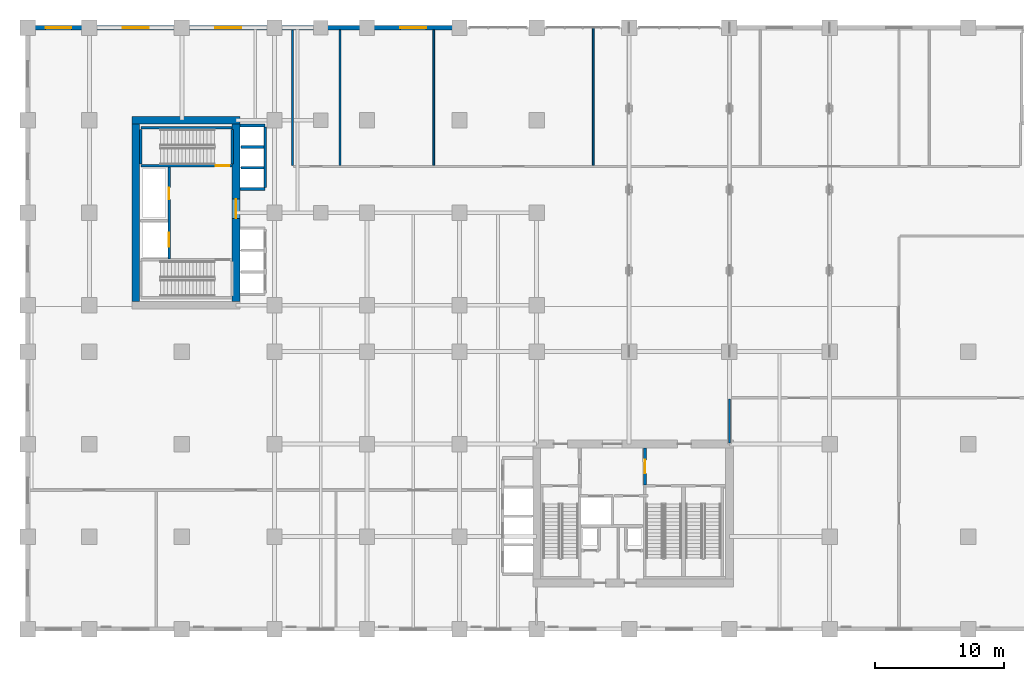
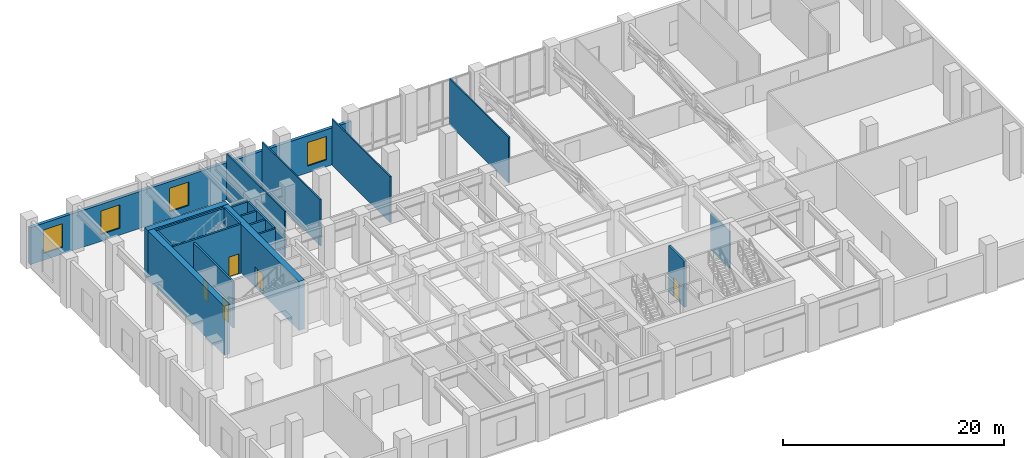
# One storey, part 12 of 19: 20 walls, 5 doors, 4 windows, 9 openings.
"""IFC4 building model written with IfcOpenShell, lengths in metres."""

from ifc_helpers import new_model, si_unit, derived_unit, direction, frame, frame_2d, origin, place, context, subcontext, project, spatial, rectangle, extrude, source, transform, mapped, material, layer, layer_set, type_object, type_shapes, element, fill, save


model = new_model("IFC4")

# Units and contexts
model_context = context("Model", 3, precision=1e-05, world=origin(), true_north=direction((0.0, 1.0)))
body_context = subcontext(model_context, "Body", "Model", "MODEL_VIEW")
ifc_project = project(units=[si_unit("LENGTHUNIT", "METRE"), si_unit("AREAUNIT", "SQUARE_METRE"), si_unit("VOLUMEUNIT", "CUBIC_METRE"), si_unit("PLANEANGLEUNIT", "RADIAN"), si_unit("MASSUNIT", "GRAM", prefix="KILO"), si_unit("THERMODYNAMICTEMPERATUREUNIT", "KELVIN"), si_unit("POWERUNIT", "WATT"), derived_unit("THERMALTRANSMITTANCEUNIT", [(si_unit("POWERUNIT", "WATT"), 1), (si_unit("AREAUNIT", "SQUARE_METRE"), -1), (si_unit("THERMODYNAMICTEMPERATUREUNIT", "KELVIN"), -1)])], contexts=[model_context])

# Site, building, storey
site_placement = place(None, origin())
site = spatial("IfcSite", under=ifc_project, at=site_placement, CompositionType="ELEMENT")
building_placement = place(site_placement, origin())
building = spatial("IfcBuilding", under=site, at=building_placement, Name="Zahravan Archway Hotel and Residences", CompositionType="ELEMENT")
storey_placement = place(building_placement, frame((0.0, 0.0, 21.60009765625)))
storey = spatial("IfcBuildingStorey", under=building, at=storey_placement, Name="L04", CompositionType="ELEMENT", Elevation=21.60009765625)

# Walls
ifc_material_1 = material(Name="Concrete C70/85", Category="concrete")
ifc_layer_1 = layer(ifc_material_1, 0.60009765625, Name="Concrete C70/85", Category="concrete")
ifc_layer_set_1 = layer_set([ifc_layer_1], Name="Concrete C70/85")
wall_type_1 = type_object("IfcWallType", Name="CW-CORE-600", PredefinedType="SHEAR", material=ifc_layer_set_1)
wall_1_placement = place(storey_placement, frame((3.300048828125, 39.60009765625, 0.0), z_axis=(0.0, 0.0, 1.0), x_axis=(1.0, 0.0, 0.0)))
element("IfcWall", 1, at=wall_1_placement, inside=storey, type_object=wall_type_1, Name="L04 Core B Shear N Wall 600 mm", PredefinedType="SHEAR", context=body_context, shape_type="SweptSolid", body=[
    extrude(rectangle(XDim=8.39990234375, YDim=0.60009765625, at=frame_2d((4.199951171875, 0.0))), origin(), (0.0, 0.0, 1.0), 5.39990234375),
])
wall_2_placement = place(storey_placement, frame((3.60009765625, 25.5, 0.0), z_axis=(0.0, 0.0, 1.0), x_axis=(0.0, 1.0, 0.0)))
element("IfcWall", 2, at=wall_2_placement, inside=storey, type_object=wall_type_1, Name="L04 Core B Shear W Wall 600 mm", PredefinedType="SHEAR", context=body_context, shape_type="SweptSolid", body=[
    extrude(rectangle(XDim=13.800048828125, YDim=0.60009765625, at=frame_2d((6.89990234375, 0.0))), origin(), (0.0, 0.0, 1.0), 5.39990234375),
])

# Wall, opening, door
wall_3_placement = place(storey_placement, frame((11.39990234375, 25.5, 0.0), z_axis=(0.0, 0.0, 1.0), x_axis=(0.0, 1.0, 0.0)))
wall_3 = element("IfcWall", 3, at=wall_3_placement, inside=storey, type_object=wall_type_1, Name="L04 Core B Shear E Wall 600 mm", PredefinedType="SHEAR", context=body_context, shape_type="SweptSolid", body=[
    extrude(rectangle(XDim=13.800048828125, YDim=0.60009765625, at=frame_2d((6.89990234375, 0.0))), origin(), (0.0, 0.0, 1.0), 5.39990234375),
])
opening_1_placement = place(wall_3_placement, frame((6.469970703125, 0.0, 0.0)))
opening_1 = element("IfcOpeningElement", 4, at=opening_1_placement, cuts=wall_3, Name="Opening FD-L1", PredefinedType="OPENING", context=body_context, shape_type="SweptSolid", body=[
    extrude(rectangle(XDim=1.5, YDim=2.199951171875, at=frame_2d((0.75, 1.10009765625))), frame((0.0, 0.31005859375, 0.0), z_axis=(0.0, -1.0, 0.0), x_axis=(1.0, 0.0, 0.0)), (0.0, 0.0, 1.0), 0.6201171875),
])
ifc_material_2 = material(Name="Fire-Rated Painted Steel", Category="steel")
door_type_1 = type_object("IfcDoorType", Name="FD-LOBBY-1500", OperationType="DOUBLE_DOOR_SINGLE_SWING", PredefinedType="DOOR", material=ifc_material_2)
shared_shape_1 = source(origin(), body_context, "Body", "SweptSolid", [
    extrude(rectangle(XDim=1.5, YDim=2.199951171875, at=frame_2d((0.75, 1.10009765625))), frame((0.0, 0.02490234375, 0.0), z_axis=(0.0, -1.0, 0.0), x_axis=(1.0, 0.0, 0.0)), (0.0, 0.0, 1.0), 0.050048828125),
])
type_shapes(door_type_1, [shared_shape_1])
door_1_placement = place(opening_1_placement, origin())
door_1 = element("IfcDoor", 5, at=door_1_placement, inside=storey, type_object=door_type_1, Name="L04 Core B FSAE Lobby Door", OperationType="DOUBLE_DOOR_SINGLE_SWING", OverallHeight=2.199951171875, OverallWidth=1.5, PredefinedType="DOOR", context=body_context, shape_type="MappedRepresentation", body=[
    mapped(shared_shape_1, transform((0.0, 0.0, 0.0), scale=1.0)),
])
fill(opening_1, door_1)

# Wall, openings, windows
ifc_material_3 = material(Name="Agra Buff Sandstone & Insulated Backup", Category="masonry")
ifc_layer_2 = layer(ifc_material_3, 0.320068359375, Name="Agra Buff Sandstone & Insulated Backup", Category="masonry")
ifc_layer_set_2 = layer_set([ifc_layer_2], Name="Agra Buff Sandstone & Insulated Backup")
wall_type_2 = type_object("IfcWallType", Name="EW-SAND-320", PredefinedType="SOLIDWALL", material=ifc_layer_set_2)
wall_4_placement = place(storey_placement, frame((-4.800048828125, 46.800048828125, 0.0), z_axis=(0.0, 0.0, 1.0), x_axis=(1.0, 0.0, 0.0)))
wall_4 = element("IfcWall", 6, at=wall_4_placement, inside=storey, type_object=wall_type_2, Name="L04 Podium Sandstone NW Wall", PredefinedType="SOLIDWALL", context=body_context, shape_type="SweptSolid", body=[
    extrude(rectangle(XDim=33.60009765625, YDim=0.320068359375, at=frame_2d((16.800048828125, 0.0))), origin(), (0.0, 0.0, 1.0), 4.0849609375),
])
opening_2_placement = place(wall_4_placement, frame((1.39990234375, 0.0, 0.75)))
opening_2 = element("IfcOpeningElement", 7, at=opening_2_placement, cuts=wall_4, Name="Opening W-01", PredefinedType="OPENING", context=body_context, shape_type="SweptSolid", body=[
    extrude(rectangle(XDim=2.0, YDim=2.60009765625, at=frame_2d((1.0, 1.300048828125))), frame((0.0, 0.169921875, 0.0), z_axis=(0.0, -1.0, 0.0), x_axis=(1.0, 0.0, 0.0)), (0.0, 0.0, 1.0), 0.340087890625),
])
opening_3_placement = place(wall_4_placement, frame((7.39990234375, 0.0, 0.75)))
opening_3 = element("IfcOpeningElement", 8, at=opening_3_placement, cuts=wall_4, Name="Opening W-01", PredefinedType="OPENING", context=body_context, shape_type="SweptSolid", body=[
    extrude(rectangle(XDim=2.0, YDim=2.60009765625, at=frame_2d((1.0, 1.300048828125))), frame((0.0, 0.169921875, 0.0), z_axis=(0.0, -1.0, 0.0), x_axis=(1.0, 0.0, 0.0)), (0.0, 0.0, 1.0), 0.340087890625),
])
opening_4_placement = place(wall_4_placement, frame((14.60009765625, 0.0, 0.75)))
opening_4 = element("IfcOpeningElement", 9, at=opening_4_placement, cuts=wall_4, Name="Opening W-01", PredefinedType="OPENING", context=body_context, shape_type="SweptSolid", body=[
    extrude(rectangle(XDim=2.0, YDim=2.60009765625, at=frame_2d((1.0, 1.300048828125))), frame((0.0, 0.169921875, 0.0), z_axis=(0.0, -1.0, 0.0), x_axis=(1.0, 0.0, 0.0)), (0.0, 0.0, 1.0), 0.340087890625),
])
opening_5_placement = place(wall_4_placement, frame((29.0, 0.0, 0.75)))
opening_5 = element("IfcOpeningElement", 10, at=opening_5_placement, cuts=wall_4, Name="Opening W-01", PredefinedType="OPENING", context=body_context, shape_type="SweptSolid", body=[
    extrude(rectangle(XDim=2.0, YDim=2.60009765625, at=frame_2d((1.0, 1.300048828125))), frame((0.0, 0.169921875, 0.0), z_axis=(0.0, -1.0, 0.0), x_axis=(1.0, 0.0, 0.0)), (0.0, 0.0, 1.0), 0.340087890625),
])
ifc_material_4 = material(Name="Bronze-Anodized Thermal-Break Aluminium & Low-E Glass", Category="aluminium")
window_type = type_object("IfcWindowType", Name="WIN-ARC-2000", PartitioningType="DOUBLE_PANEL_VERTICAL", PredefinedType="WINDOW", material=ifc_material_4)
shared_shape_2 = source(origin(), body_context, "Body", "SweptSolid", [
    extrude(rectangle(XDim=2.0, YDim=2.60009765625, at=frame_2d((1.0, 1.300048828125))), frame((0.0, 0.030029296875, 0.0), z_axis=(0.0, -1.0, 0.0), x_axis=(1.0, 0.0, 0.0)), (0.0, 0.0, 1.0), 0.06005859375),
])
type_shapes(window_type, [shared_shape_2])
window_1_placement = place(opening_2_placement, origin())
window_1 = element("IfcWindow", 11, at=window_1_placement, inside=storey, type_object=window_type, Name="L04 Podium Mughal Arch Window 13", OverallHeight=2.60009765625, OverallWidth=2.0, PartitioningType="DOUBLE_PANEL_VERTICAL", PredefinedType="WINDOW", context=body_context, shape_type="MappedRepresentation", body=[
    mapped(shared_shape_2, transform((0.0, 0.0, 0.0), scale=1.0)),
])
fill(opening_2, window_1)
window_2_placement = place(opening_3_placement, origin())
window_2 = element("IfcWindow", 12, at=window_2_placement, inside=storey, type_object=window_type, Name="L04 Podium Mughal Arch Window 14", OverallHeight=2.60009765625, OverallWidth=2.0, PartitioningType="DOUBLE_PANEL_VERTICAL", PredefinedType="WINDOW", context=body_context, shape_type="MappedRepresentation", body=[
    mapped(shared_shape_2, transform((0.0, 0.0, 0.0), scale=1.0)),
])
fill(opening_3, window_2)
window_3_placement = place(opening_4_placement, origin())
window_3 = element("IfcWindow", 13, at=window_3_placement, inside=storey, type_object=window_type, Name="L04 Podium Mughal Arch Window 15", OverallHeight=2.60009765625, OverallWidth=2.0, PartitioningType="DOUBLE_PANEL_VERTICAL", PredefinedType="WINDOW", context=body_context, shape_type="MappedRepresentation", body=[
    mapped(shared_shape_2, transform((0.0, 0.0, 0.0), scale=1.0)),
])
fill(opening_4, window_3)
window_4_placement = place(opening_5_placement, origin())
window_4 = element("IfcWindow", 14, at=window_4_placement, inside=storey, type_object=window_type, Name="L04 Podium Mughal Arch Window 16", OverallHeight=2.60009765625, OverallWidth=2.0, PartitioningType="DOUBLE_PANEL_VERTICAL", PredefinedType="WINDOW", context=body_context, shape_type="MappedRepresentation", body=[
    mapped(shared_shape_2, transform((0.0, 0.0, 0.0), scale=1.0)),
])
fill(opening_5, window_4)

# Wall, opening, door
ifc_material_5 = material(Name="Fire-Rated Gypsum & Concrete Block", Category="concrete")
ifc_layer_3 = layer(ifc_material_5, 0.219970703125, Name="Fire-Rated Gypsum & Concrete Block", Category="concrete")
ifc_layer_set_3 = layer_set([ifc_layer_3], Name="Fire-Rated Gypsum & Concrete Block")
wall_type_3 = type_object("IfcWallType", Name="PW-COMP-220", PredefinedType="PARTITIONING", material=ifc_layer_set_3)
wall_5_placement = place(storey_placement, frame((43.219970703125, 11.219970703125, 0.0), z_axis=(0.0, 0.0, 1.0), x_axis=(0.0, 1.0, 0.0)))
wall_5 = element("IfcWall", 15, at=wall_5_placement, inside=storey, type_object=wall_type_3, Name="L04 Partition CA-LOBE", PredefinedType="PARTITIONING", context=body_context, shape_type="SweptSolid", body=[
    extrude(rectangle(XDim=2.860107421875, YDim=0.219970703125, at=frame_2d((1.43017578125, 0.0))), origin(), (0.0, 0.0, 1.0), 5.099853515625),
])
opening_6_placement = place(wall_5_placement, frame((0.905029296875, 0.0, 0.0)))
opening_6 = element("IfcOpeningElement", 16, at=opening_6_placement, cuts=wall_5, Name="Opening FD-L2", PredefinedType="OPENING", context=body_context, shape_type="SweptSolid", body=[
    extrude(rectangle(XDim=1.050048828125, YDim=2.14990234375, at=frame_2d((0.52490234375, 1.074951171875))), frame((0.0, 0.1201171875, 0.0), z_axis=(0.0, -1.0, 0.0), x_axis=(1.0, 0.0, 0.0)), (0.0, 0.0, 1.0), 0.239990234375),
])
door_type_2 = type_object("IfcDoorType", Name="FD-LOBBY-1100", OperationType="NOTDEFINED", PredefinedType="DOOR", material=ifc_material_2)
shared_shape_3 = source(origin(), body_context, "Body", "SweptSolid", [
    extrude(rectangle(XDim=1.050048828125, YDim=2.14990234375, at=frame_2d((0.52490234375, 1.074951171875))), frame((0.0, 0.02490234375, 0.0), z_axis=(0.0, -1.0, 0.0), x_axis=(1.0, 0.0, 0.0)), (0.0, 0.0, 1.0), 0.050048828125),
])
type_shapes(door_type_2, [shared_shape_3])
door_2_placement = place(opening_6_placement, origin())
door_2 = element("IfcDoor", 17, at=door_2_placement, inside=storey, type_object=door_type_2, Name="L04 Core A East Stair to FSAE Lobby Door", OperationType="SINGLE_SWING_LEFT", OverallHeight=2.14990234375, OverallWidth=1.050048828125, PredefinedType="DOOR", context=body_context, shape_type="MappedRepresentation", body=[
    mapped(shared_shape_3, transform((0.0, 0.0, 0.0), scale=1.0)),
])
fill(opening_6, door_2)

# Wall
ifc_layer_4 = layer(ifc_material_5, 0.179931640625, Name="Fire-Rated Gypsum & Concrete Block", Category="concrete")
ifc_layer_set_4 = layer_set([ifc_layer_4], Name="Fire-Rated Gypsum & Concrete Block")
wall_type_4 = type_object("IfcWallType", Name="PW-CORR-180", PredefinedType="PARTITIONING", material=ifc_layer_set_4)
wall_6_placement = place(storey_placement, frame((49.800048828125, 14.489990234375, 0.0), z_axis=(0.0, 0.0, 1.0), x_axis=(0.0, 1.0, 0.0)))
element("IfcWall", 18, at=wall_6_placement, inside=storey, type_object=wall_type_4, Name="L04 Partition L04-GSW", PredefinedType="PARTITIONING", context=body_context, shape_type="SweptSolid", body=[
    extrude(rectangle(XDim=3.419921875, YDim=0.179931640625, at=frame_2d((1.7099609375, 0.0))), origin(), (0.0, 0.0, 1.0), 4.0849609375),
])

# Wall, openings, doors
ifc_layer_5 = layer(ifc_material_5, 0.199951171875, Name="Fire-Rated Gypsum & Concrete Block", Category="concrete")
ifc_layer_set_5 = layer_set([ifc_layer_5], Name="Fire-Rated Gypsum & Concrete Block")
wall_type_5 = type_object("IfcWallType", Name="PW-SHAFT-200", PredefinedType="PARTITIONING", material=ifc_layer_set_5)
wall_7_placement = place(storey_placement, frame((6.199951171875, 28.7900390625, 0.0), z_axis=(0.0, 0.0, 1.0), x_axis=(0.0, 1.0, 0.0)))
wall_7 = element("IfcWall", 19, at=wall_7_placement, inside=storey, type_object=wall_type_5, Name="L04 Partition CB-FL3E", PredefinedType="PARTITIONING", context=body_context, shape_type="SweptSolid", body=[
    extrude(rectangle(XDim=7.219970703125, YDim=0.199951171875, at=frame_2d((3.60986328125, 0.0))), origin(), (0.0, 0.0, 1.0), 5.099853515625),
])
opening_7_placement = place(wall_7_placement, frame((4.659912109375, 0.0, 0.0)))
opening_7 = element("IfcOpeningElement", 20, at=opening_7_placement, cuts=wall_7, Name="Opening FD-R1", PredefinedType="OPENING", context=body_context, shape_type="SweptSolid", body=[
    extrude(rectangle(XDim=0.89990234375, YDim=2.10009765625, at=frame_2d((0.449951171875, 1.050048828125))), frame((0.0, 0.10986328125, 0.0), z_axis=(0.0, -1.0, 0.0), x_axis=(1.0, 0.0, 0.0)), (0.0, 0.0, 1.0), 0.219970703125),
])
opening_8_placement = place(wall_7_placement, frame((0.9599609375, 0.0, 0.0)))
opening_8 = element("IfcOpeningElement", 21, at=opening_8_placement, cuts=wall_7, Name="Opening LD", PredefinedType="OPENING", context=body_context, shape_type="SweptSolid", body=[
    extrude(rectangle(XDim=1.10009765625, YDim=2.199951171875, at=frame_2d((0.550048828125, 1.10009765625))), frame((0.0, 0.10986328125, 0.0), z_axis=(0.0, -1.0, 0.0), x_axis=(1.0, 0.0, 0.0)), (0.0, 0.0, 1.0), 0.219970703125),
])
door_type_3 = type_object("IfcDoorType", Name="FD-RISER-900", OperationType="NOTDEFINED", PredefinedType="DOOR", material=ifc_material_2)
shared_shape_4 = source(origin(), body_context, "Body", "SweptSolid", [
    extrude(rectangle(XDim=0.89990234375, YDim=2.10009765625, at=frame_2d((0.449951171875, 1.050048828125))), frame((0.0, 0.02490234375, 0.0), z_axis=(0.0, -1.0, 0.0), x_axis=(1.0, 0.0, 0.0)), (0.0, 0.0, 1.0), 0.050048828125),
])
type_shapes(door_type_3, [shared_shape_4])
door_3_placement = place(opening_7_placement, origin())
door_3 = element("IfcDoor", 22, at=door_3_placement, inside=storey, type_object=door_type_3, Name="L04 Core B Riser Door", OperationType="SINGLE_SWING_RIGHT", OverallHeight=2.10009765625, OverallWidth=0.89990234375, PredefinedType="DOOR", context=body_context, shape_type="MappedRepresentation", body=[
    mapped(shared_shape_4, transform((0.0, 0.0, 0.0), scale=1.0)),
])
fill(opening_7, door_3)
ifc_material_6 = material(Name="Brushed Stainless Steel", Category="steel")
door_type_4 = type_object("IfcDoorType", Name="DR-LIFT-LD", OperationType="SLIDING_TO_LEFT", PredefinedType="DOOR", material=ifc_material_6)
shared_shape_5 = source(origin(), body_context, "Body", "SweptSolid", [
    extrude(rectangle(XDim=1.10009765625, YDim=2.199951171875, at=frame_2d((0.550048828125, 1.10009765625))), frame((0.0, 0.02490234375, 0.0), z_axis=(0.0, -1.0, 0.0), x_axis=(1.0, 0.0, 0.0)), (0.0, 0.0, 1.0), 0.050048828125),
])
type_shapes(door_type_4, [shared_shape_5])
door_4_placement = place(opening_8_placement, origin())
door_4 = element("IfcDoor", 23, at=door_4_placement, inside=storey, type_object=door_type_4, Name="L04 Lift FL-3 Sliding Landing Door", OperationType="SLIDING_TO_LEFT", OverallHeight=2.199951171875, OverallWidth=1.10009765625, PredefinedType="DOOR", context=body_context, shape_type="MappedRepresentation", body=[
    mapped(shared_shape_5, transform((0.0, 0.0, 0.0), scale=1.0)),
])
fill(opening_8, door_4)

# Walls
for number, where, z_axis, x_axis, name in (
    (24, (11.7099609375, 34.25, 0.0), (0.0, 0.0, 1.0), (1.0, 0.0, 0.0), "L04 Partition B2-S"),
    (25, (11.7099609375, 39.18994140625, 0.0), (0.0, 0.0, 1.0), (1.0, 0.0, 0.0), "L04 Partition B2-N"),
):
    element("IfcWall", number, at=place(storey_placement, frame(where, z_axis=z_axis, x_axis=x_axis)), inside=storey, type_object=wall_type_5, Name=name, PredefinedType="PARTITIONING", context=body_context, shape_type="SweptSolid", body=[
        extrude(rectangle(XDim=1.9599609375, YDim=0.199951171875, at=frame_2d((0.97998046875, 0.0))), origin(), (0.0, 0.0, 1.0), 5.099853515625),
    ])
wall_8_placement = place(storey_placement, frame((13.679931640625, 34.360107421875, 0.0), z_axis=(0.0, 0.0, 1.0), x_axis=(0.0, 1.0, 0.0)))
element("IfcWall", 26, at=wall_8_placement, inside=storey, type_object=wall_type_5, Name="L04 Partition B2-E", PredefinedType="PARTITIONING", context=body_context, shape_type="SweptSolid", body=[
    extrude(rectangle(XDim=4.719970703125, YDim=0.199951171875, at=frame_2d((2.35986328125, 0.0))), origin(), (0.0, 0.0, 1.0), 5.099853515625),
])
for number, where, z_axis, x_axis, name in (
    (27, (11.81005859375, 35.919921875, 0.0), (0.0, 0.0, 1.0), (1.0, 0.0, 0.0), "L04 Partition B2-D"),
    (28, (11.81005859375, 37.52001953125, 0.0), (0.0, 0.0, 1.0), (1.0, 0.0, 0.0), "L04 Partition B2-D"),
):
    element("IfcWall", number, at=place(storey_placement, frame(where, z_axis=z_axis, x_axis=x_axis)), inside=storey, type_object=wall_type_5, Name=name, PredefinedType="PARTITIONING", context=body_context, shape_type="SweptSolid", body=[
        extrude(rectangle(XDim=1.760009765625, YDim=0.199951171875, at=frame_2d((0.8798828125, 0.0))), origin(), (0.0, 0.0, 1.0), 5.099853515625),
    ])
ifc_material_7 = material(Name="Moisture-Resistant Blockwork", Category="masonry")
ifc_layer_6 = layer(ifc_material_7, 0.139892578125, Name="Moisture-Resistant Blockwork", Category="masonry")
ifc_layer_set_6 = layer_set([ifc_layer_6], Name="Moisture-Resistant Blockwork")
wall_type_6 = type_object("IfcWallType", Name="PW-WET-140", PredefinedType="PARTITIONING", material=ifc_layer_set_6)
for number, where, z_axis, x_axis, name in (
    (29, (15.800048828125, 36.090087890625, 0.0), (0.0, 0.0, 1.0), (0.0, 1.0, 0.0), "L04 Partition L04-GNW"),
    (30, (19.5, 36.090087890625, 0.0), (0.0, 0.0, 1.0), (0.0, 1.0, 0.0), "L04 Partition L04-NV1"),
    (31, (26.800048828125, 36.090087890625, 0.0), (0.0, 0.0, 1.0), (0.0, 1.0, 0.0), "L04 Partition L04-NV2"),
):
    element("IfcWall", number, at=place(storey_placement, frame(where, z_axis=z_axis, x_axis=x_axis)), inside=storey, type_object=wall_type_6, Name=name, PredefinedType="PARTITIONING", context=body_context, shape_type="SweptSolid", body=[
        extrude(rectangle(XDim=10.5419921875, YDim=0.139892578125, at=frame_2d((5.27099609375, 0.0))), origin(), (0.0, 0.0, 1.0), 5.099853515625),
    ])
wall_9_placement = place(storey_placement, frame((39.199951171875, 36.090087890625, 0.0), z_axis=(0.0, 0.0, 1.0), x_axis=(0.0, 1.0, 0.0)))
element("IfcWall", 32, at=wall_9_placement, inside=storey, type_object=wall_type_6, Name="L04 Partition L04-NV3", PredefinedType="PARTITIONING", context=body_context, shape_type="SweptSolid", body=[
    extrude(rectangle(XDim=10.681884765625, YDim=0.139892578125, at=frame_2d((5.3408203125, 0.0))), origin(), (0.0, 0.0, 1.0), 5.099853515625),
])
ifc_material_8 = material(Name="Concrete C50/60", Category="concrete")
ifc_layer_7 = layer(ifc_material_8, 0.199951171875, Name="Concrete C50/60", Category="concrete")
ifc_layer_set_7 = layer_set([ifc_layer_7], Name="Concrete C50/60")
wall_type_7 = type_object("IfcWallType", Name="SW-STAIR-200", PredefinedType="SHEAR", material=ifc_layer_set_7)
wall_10_placement = place(storey_placement, frame((4.0, 39.0, 0.0), z_axis=(0.0, 0.0, 1.0), x_axis=(1.0, 0.0, 0.0)))
element("IfcWall", 33, at=wall_10_placement, inside=storey, type_object=wall_type_7, Name="L04 Stairwell RC Wall CB-SB2N", PredefinedType="SHEAR", context=body_context, shape_type="SweptSolid", body=[
    extrude(rectangle(XDim=7.10009765625, YDim=0.199951171875, at=frame_2d((3.550048828125, 0.0))), origin(), (0.0, 0.0, 1.0), 5.39990234375),
])
for number, where, z_axis, x_axis, name in (
    (34, (4.0, 36.179931640625, 0.0), (0.0, 0.0, 1.0), (0.0, 1.0, 0.0), "L04 Stairwell RC Wall CB-SB2W"),
    (35, (11.10009765625, 36.179931640625, 0.0), (0.0, 0.0, 1.0), (0.0, 1.0, 0.0), "L04 Stairwell RC Wall CB-SB2E"),
):
    element("IfcWall", number, at=place(storey_placement, frame(where, z_axis=z_axis, x_axis=x_axis)), inside=storey, type_object=wall_type_7, Name=name, PredefinedType="SHEAR", context=body_context, shape_type="SweptSolid", body=[
        extrude(rectangle(XDim=2.699951171875, YDim=0.199951171875, at=frame_2d((1.35009765625, 0.0))), origin(), (0.0, 0.0, 1.0), 5.39990234375),
    ])

# Wall, opening, door
wall_11_placement = place(storey_placement, frame((4.0, 36.06005859375, 0.0), z_axis=(0.0, 0.0, 1.0), x_axis=(1.0, 0.0, 0.0)))
wall_11 = element("IfcWall", 36, at=wall_11_placement, inside=storey, type_object=wall_type_7, Name="L04 Stairwell RC Wall CB-SB2S", PredefinedType="SHEAR", context=body_context, shape_type="SweptSolid", body=[
    extrude(rectangle(XDim=7.10009765625, YDim=0.199951171875, at=frame_2d((3.550048828125, 0.0))), origin(), (0.0, 0.0, 1.0), 5.39990234375),
])
opening_9_placement = place(wall_11_placement, frame((5.81494140625, 0.0, 0.0)))
opening_9 = element("IfcOpeningElement", 37, at=opening_9_placement, cuts=wall_11, Name="Opening FD-S1", PredefinedType="OPENING", context=body_context, shape_type="SweptSolid", body=[
    extrude(rectangle(XDim=1.050048828125, YDim=2.199951171875, at=frame_2d((0.52490234375, 1.10009765625))), frame((0.0, 0.10986328125, 0.0), z_axis=(0.0, -1.0, 0.0), x_axis=(1.0, 0.0, 0.0)), (0.0, 0.0, 1.0), 0.219970703125),
])
door_type_5 = type_object("IfcDoorType", Name="FD-STAIR-1100", OperationType="NOTDEFINED", PredefinedType="DOOR", material=ifc_material_2)
shared_shape_6 = source(origin(), body_context, "Body", "SweptSolid", [
    extrude(rectangle(XDim=1.050048828125, YDim=2.199951171875, at=frame_2d((0.52490234375, 1.10009765625))), frame((0.0, 0.02490234375, 0.0), z_axis=(0.0, -1.0, 0.0), x_axis=(1.0, 0.0, 0.0)), (0.0, 0.0, 1.0), 0.050048828125),
])
type_shapes(door_type_5, [shared_shape_6])
door_5_placement = place(opening_9_placement, origin())
door_5 = element("IfcDoor", 38, at=door_5_placement, inside=storey, type_object=door_type_5, Name="L04 Stair ST-B2 Door", OperationType="SINGLE_SWING_LEFT", OverallHeight=2.199951171875, OverallWidth=1.050048828125, PredefinedType="DOOR", context=body_context, shape_type="MappedRepresentation", body=[
    mapped(shared_shape_6, transform((0.0, 0.0, 0.0), scale=1.0)),
])
fill(opening_9, door_5)

save(model, "model.ifc")
